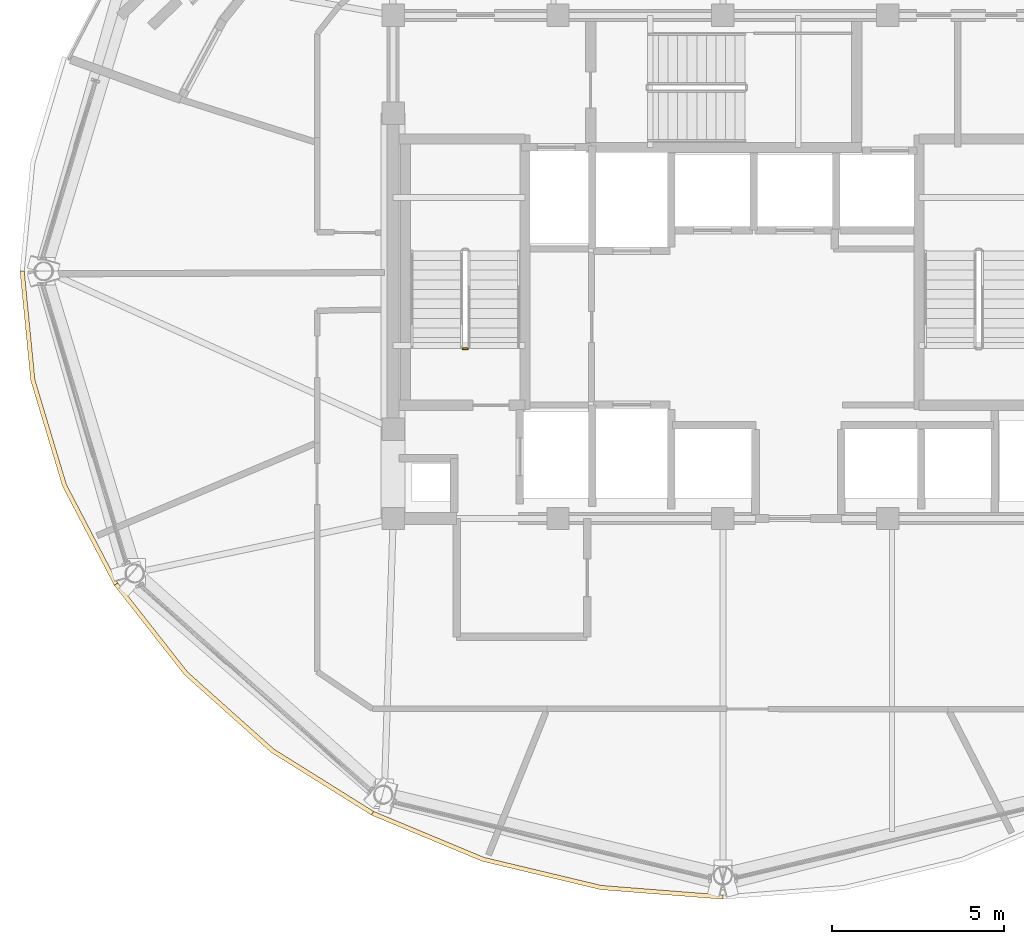
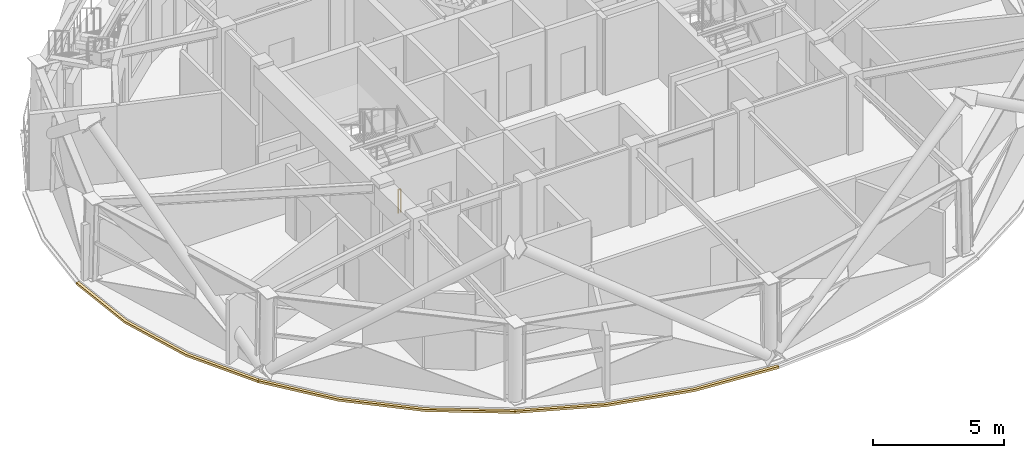
# One storey, part 12 of 16: 3 coverings, 1 railing.
"""IFC4 building model written with IfcOpenShell, lengths in metres."""

from ifc_helpers import new_model, si_unit, direction, frame, origin, origin_2d, place, context, subcontext, project, spatial, polyline, rectangle, outline, extrude, material, layer, layer_set, type_object, element, save


model = new_model("IFC4")

# Units and contexts
model_context = context("Model", 3, precision=1e-05, world=origin(), true_north=direction((0.0, 1.0)))
body_context = subcontext(model_context, "Body", "Model", "MODEL_VIEW")
ifc_project = project(units=[si_unit("LENGTHUNIT", "METRE"), si_unit("AREAUNIT", "SQUARE_METRE"), si_unit("VOLUMEUNIT", "CUBIC_METRE"), si_unit("PLANEANGLEUNIT", "RADIAN"), si_unit("MASSUNIT", "GRAM", prefix="KILO")], contexts=[model_context])

# Site, building, storey
site_placement = place(None, origin())
site = spatial("IfcSite", under=ifc_project, at=site_placement, CompositionType="ELEMENT")
building_placement = place(site_placement, origin())
building = spatial("IfcBuilding", under=site, at=building_placement, Name="Vantalir Tower", CompositionType="ELEMENT")
storey_placement = place(building_placement, frame((0.0, 0.0, 267.60009765625)))
storey = spatial("IfcBuildingStorey", under=building, at=storey_placement, Name="L67", CompositionType="ELEMENT", Elevation=267.60009765625)

# Coverings
ifc_material_1 = material(Name="Anodised champagne aluminium sill fascia", Category="aluminium")
ifc_layer = layer(ifc_material_1, 0.125)
ifc_layer_set = layer_set([ifc_layer], Name="Anodised champagne aluminium sill fascia")
covering_type = type_object("IfcCoveringType", Name="COV-SLAB-FASCIA-125", PredefinedType="CLADDING", material=ifc_layer_set)
covering_1_placement = place(storey_placement, frame((0.0, 0.0, -0.18017578125)))
element("IfcCovering", 1, at=covering_1_placement, inside=storey, type_object=covering_type, Name="L67 Perimeter Slab-Edge Sill Fascia 07", PredefinedType="CLADDING", context=body_context, shape_type="SweptSolid", body=[
    extrude(outline(polyline([(11.034912109375, 25.0), (11.345947265625, 21.824951171875), (12.26904296875, 18.74609375), (13.777099609375, 15.85693359375), (13.885009765625, 15.9189453125), (12.386962890625, 18.7890625), (11.468994140625, 21.845947265625), (11.159912109375, 25.0), (11.034912109375, 25.0)])), origin(), (0.0, 0.0, 1.0), 0.10498046875),
])
covering_2_placement = place(storey_placement, frame((0.0, 0.0, -0.18017578125)))
element("IfcCovering", 2, at=covering_2_placement, inside=storey, type_object=covering_type, Name="L67 Perimeter Slab-Edge Sill Fascia 08", PredefinedType="CLADDING", context=body_context, shape_type="SweptSolid", body=[
    extrude(outline(polyline([(13.777099609375, 15.85693359375), (15.822998046875, 13.24609375), (18.344970703125, 10.991943359375), (21.26708984375, 9.1640625), (21.330078125, 9.27197265625), (18.426025390625, 11.087890625), (15.9189453125, 13.325927734375), (13.885009765625, 15.9189453125), (13.777099609375, 15.85693359375)])), origin(), (0.0, 0.0, 1.0), 0.10498046875),
])
covering_3_placement = place(storey_placement, frame((0.0, 0.0, -0.18017578125)))
element("IfcCovering", 3, at=covering_3_placement, inside=storey, type_object=covering_type, Name="L67 Perimeter Slab-Edge Sill Fascia 09", PredefinedType="CLADDING", context=body_context, shape_type="SweptSolid", body=[
    extrude(outline(polyline([(21.26708984375, 9.1640625), (24.5009765625, 7.81689453125), (27.946044921875, 6.991943359375), (31.5, 6.714111328125), (31.5, 6.839111328125), (27.968017578125, 7.114990234375), (24.54296875, 7.93408203125), (21.330078125, 9.27197265625), (21.26708984375, 9.1640625)])), origin(), (0.0, 0.0, 1.0), 0.10498046875),
])

# Railing
ifc_material_2 = material(Name="Anodised aluminium and stainless steel guard", Category="steel")
railing_type = type_object("IfcRailingType", Name="RAL-GUARD-1120", PredefinedType="GUARDRAIL", material=ifc_material_2)
railing_placement = place(storey_placement, frame((24.06005859375, 22.739990234375, 0.0)))
element("IfcRailing", 4, at=railing_placement, inside=storey, type_object=railing_type, Name="L67 ST1 stair guard 4", PredefinedType="GUARDRAIL", context=body_context, shape_type="SweptSolid", body=[
    extrude(rectangle(XDim=0.048095703125, YDim=0.048095703125, at=origin_2d()), frame((0.0, 0.0, 1.09619140625), z_axis=(-1.0, 0.0, 0.0), x_axis=(0.0, -1.0, 0.0)), (0.0, 0.0, 1.0), 0.1201171875),
    extrude(rectangle(XDim=0.0419921875, YDim=0.0419921875, at=origin_2d()), origin(), (0.0, 0.0, 1.0), 1.072021484375),
    extrude(rectangle(XDim=0.0419921875, YDim=0.0419921875, at=origin_2d()), frame((-0.1201171875, 0.0, 0.0)), (0.0, 0.0, 1.0), 1.072021484375),
])

save(model, "model.ifc")
